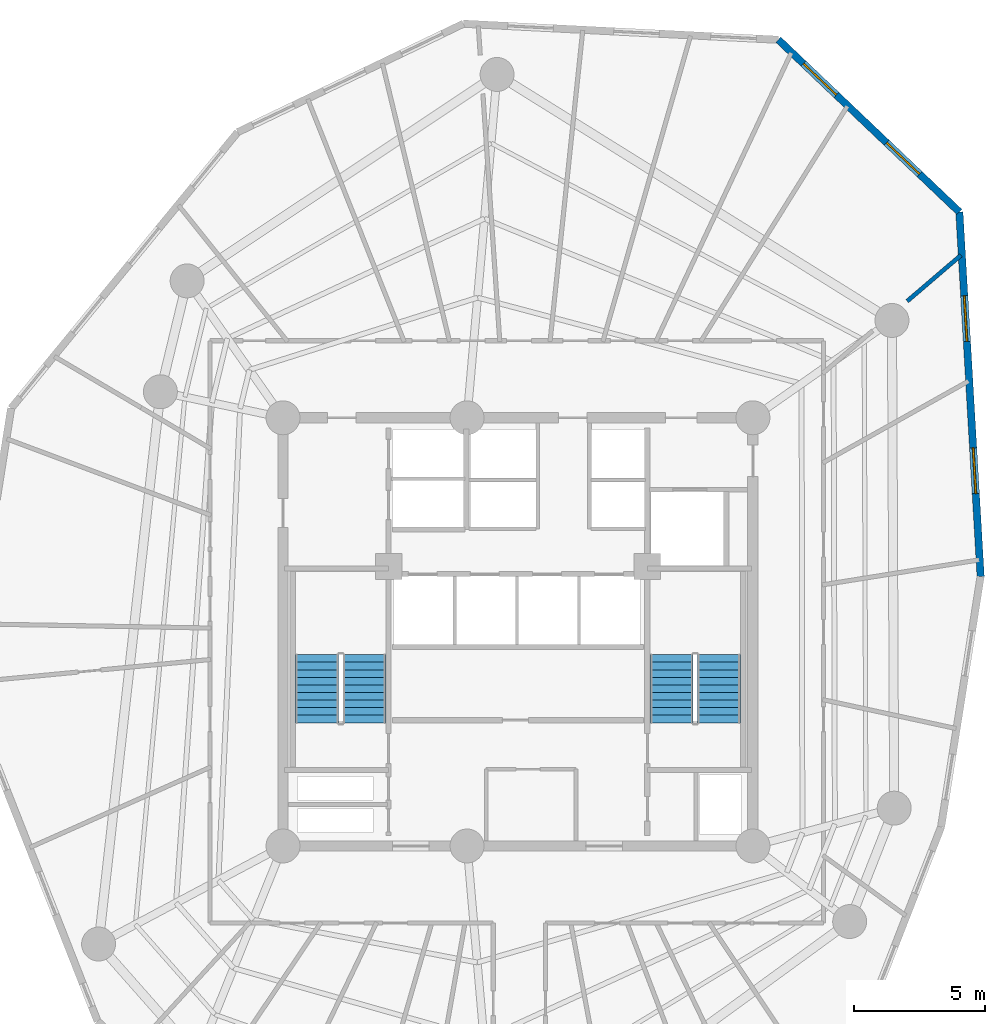
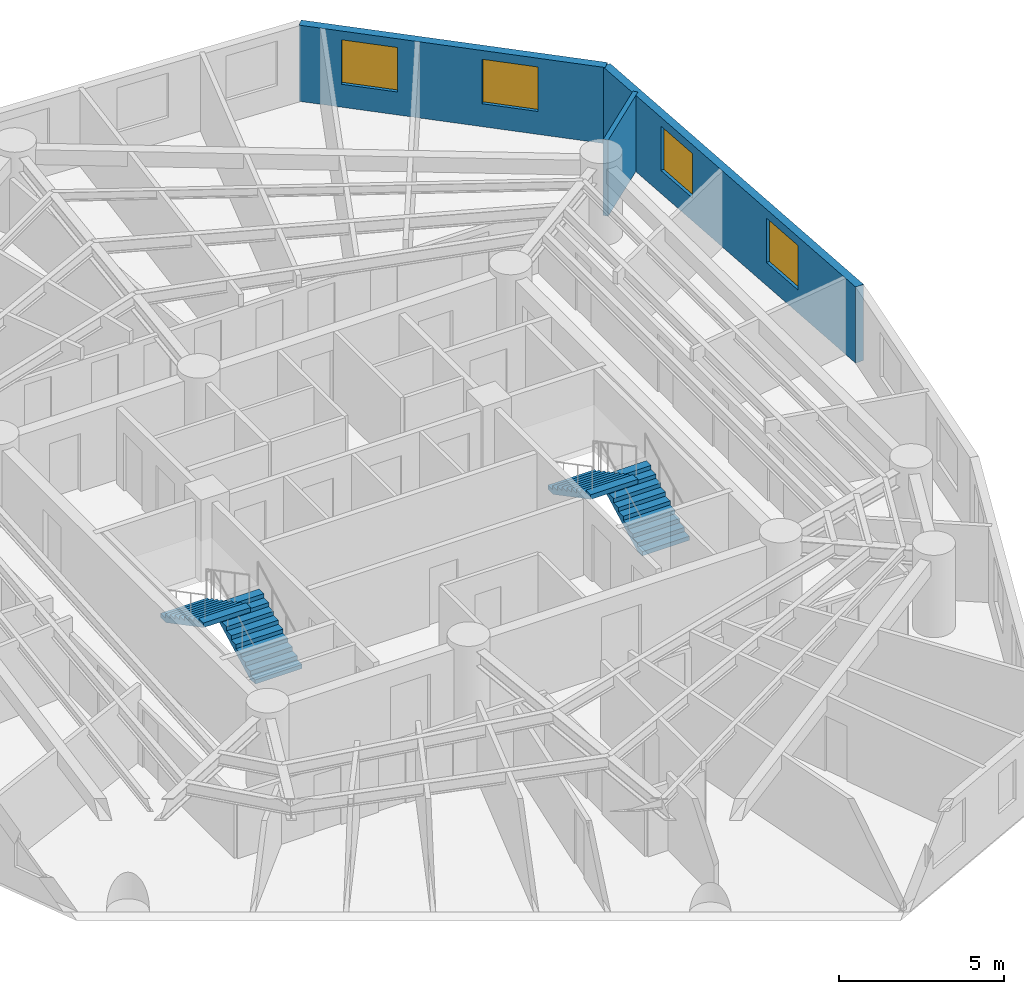
# One storey, part 7 of 8: 4 stair flights, 4 windows, 3 walls, 4 openings, 2 elements without a shape of their own.
"""IFC4 building model written with IfcOpenShell, lengths in metres."""

from ifc_helpers import new_model, si_unit, direction, frame, frame_2d, origin, origin_with_axes, place, context, subcontext, project, spatial, polyline, rectangle, outline, extrude, source, transform, mapped, material, layer, layer_set, type_object, element, fill, aggregate, save


model = new_model("IFC4")

# Units and contexts
model_context = context("Model", 3, precision=1e-05, world=origin(), true_north=direction((0.0, 1.0)))
body_context = subcontext(model_context, "Body", "Model", "MODEL_VIEW")
ifc_project = project(units=[si_unit("LENGTHUNIT", "METRE"), si_unit("AREAUNIT", "SQUARE_METRE"), si_unit("VOLUMEUNIT", "CUBIC_METRE"), si_unit("PLANEANGLEUNIT", "RADIAN"), si_unit("MASSUNIT", "GRAM", prefix="KILO")], contexts=[model_context])

# Site, building, storey
site_placement = place(None, origin())
site = spatial("IfcSite", under=ifc_project, at=site_placement, CompositionType="ELEMENT")
building_placement = place(site_placement, origin())
building = spatial("IfcBuilding", under=site, at=building_placement, Name="Karkom Vertical University and Central Library", CompositionType="ELEMENT")
storey_placement = place(building_placement, frame((0.0, 0.0, 165.699951171875)))
storey = spatial("IfcBuildingStorey", under=building, at=storey_placement, Name="L47", CompositionType="ELEMENT", Elevation=165.699951171875)

# Wall, openings, windows
ifc_material_1 = material(Name="Brick-faced precast concrete C45/55", Category="masonry")
ifc_layer_1 = layer(ifc_material_1, 0.280029296875)
ifc_layer_set_1 = layer_set([ifc_layer_1], Name="Brick-faced precast concrete C45/55")
wall_type_1 = type_object("IfcWallType", Name="ENV-WL-BRK-280", PredefinedType="SOLIDWALL", material=ifc_layer_set_1)
wall_1_placement = place(storey_placement, frame((46.22216796875, 28.6201171875, 0.0), z_axis=(0.0, 0.0, 1.0), x_axis=(-0.058346530158, 0.998296390066, 0.0)))
wall_1 = element("IfcWall", 1, at=wall_1_placement, inside=storey, type_object=wall_type_1, Name="Level 47 Brick-Faced Precast Facade Wall 08", PredefinedType="SOLIDWALL", context=body_context, shape_type="SweptSolid", body=[
    extrude(rectangle(XDim=13.98828125, YDim=0.280029296875, at=frame_2d((6.994140625, 0.0))), origin(), (0.0, 0.0, 1.0), 2.824951171875),
])
opening_1_placement = place(wall_1_placement, frame((3.184814453125, 0.0, 0.85009765625)))
opening_1 = element("IfcOpeningElement", 2, at=opening_1_placement, cuts=wall_1, Name="Opening WN-08", PredefinedType="OPENING", context=body_context, shape_type="SweptSolid", body=[
    extrude(rectangle(XDim=1.75, YDim=1.64990234375, at=frame_2d((0.875, 0.824951171875))), frame((0.0, 0.14990234375, 0.0), z_axis=(0.0, -1.0, 0.0), x_axis=(1.0, 0.0, 0.0)), (0.0, 0.0, 1.0), 0.300048828125),
])
opening_2_placement = place(wall_1_placement, frame((9.0205078125, 0.0, 0.85009765625)))
opening_2 = element("IfcOpeningElement", 3, at=opening_2_placement, cuts=wall_1, Name="Opening WN-08", PredefinedType="OPENING", context=body_context, shape_type="SweptSolid", body=[
    extrude(rectangle(XDim=1.75, YDim=1.64990234375, at=frame_2d((0.875, 0.824951171875))), frame((0.0, 0.14990234375, 0.0), z_axis=(0.0, -1.0, 0.0), x_axis=(1.0, 0.0, 0.0)), (0.0, 0.0, 1.0), 0.300048828125),
])
ifc_material_2 = material(Name="Aluminium thermal-break frame with solar-control IGU", Category="aluminium")
window_type = type_object("IfcWindowType", Name="ENV-WIN-WN-08", PartitioningType="SINGLE_PANEL", PredefinedType="WINDOW", material=ifc_material_2)
shared_shape = source(origin_with_axes(), body_context, "Body", "SweptSolid", [
    extrude(rectangle(XDim=1.75, YDim=1.64990234375, at=frame_2d((0.875, 0.824951171875))), frame((0.0, 0.030029296875, 0.0), z_axis=(0.0, -1.0, 0.0), x_axis=(1.0, 0.0, 0.0)), (0.0, 0.0, 1.0), 0.06005859375),
])
window_1_placement = place(opening_1_placement, origin())
window_1 = element("IfcWindow", 4, at=window_1_placement, inside=storey, type_object=window_type, Name="Level 47 Punched Window 8.1", OverallHeight=1.64990234375, OverallWidth=1.75, PartitioningType="SINGLE_PANEL", PredefinedType="WINDOW", context=body_context, shape_type="MappedRepresentation", body=[
    mapped(shared_shape, transform((0.0, 0.0, 0.0), scale=1.0)),
])
fill(opening_1, window_1)
window_2_placement = place(opening_2_placement, origin())
window_2 = element("IfcWindow", 5, at=window_2_placement, inside=storey, type_object=window_type, Name="Level 47 Punched Window 8.2", OverallHeight=1.64990234375, OverallWidth=1.75, PartitioningType="SINGLE_PANEL", PredefinedType="WINDOW", context=body_context, shape_type="MappedRepresentation", body=[
    mapped(shared_shape, transform((0.0, 0.0, 0.0), scale=1.0)),
])
fill(opening_2, window_2)

wall_2_placement = place(storey_placement, frame((45.406005859375, 42.58447265625, 0.0), z_axis=(0.0, 0.0, 1.0), x_axis=(-0.724451484648, 0.689325791184, 0.0)))
wall_2 = element("IfcWall", 6, at=wall_2_placement, inside=storey, type_object=wall_type_1, Name="Level 47 Brick-Faced Precast Facade Wall 09", PredefinedType="SOLIDWALL", context=body_context, shape_type="SweptSolid", body=[
    extrude(rectangle(XDim=9.57080078125, YDim=0.280029296875, at=frame_2d((4.785400390625, 0.0))), origin(), (0.0, 0.0, 1.0), 2.824951171875),
])
opening_3_placement = place(wall_2_placement, frame((2.100830078125, 0.0, 0.85009765625)))
opening_3 = element("IfcOpeningElement", 7, at=opening_3_placement, cuts=wall_2, Name="Opening WN-08", PredefinedType="OPENING", context=body_context, shape_type="SweptSolid", body=[
    extrude(rectangle(XDim=1.75, YDim=1.64990234375, at=frame_2d((0.875, 0.824951171875))), frame((0.0, 0.14990234375, 0.0), z_axis=(0.0, -1.0, 0.0), x_axis=(1.0, 0.0, 0.0)), (0.0, 0.0, 1.0), 0.300048828125),
])
opening_4_placement = place(wall_2_placement, frame((6.498291015625, 0.0, 0.85009765625)))
opening_4 = element("IfcOpeningElement", 8, at=opening_4_placement, cuts=wall_2, Name="Opening WN-08", PredefinedType="OPENING", context=body_context, shape_type="SweptSolid", body=[
    extrude(rectangle(XDim=1.75, YDim=1.64990234375, at=frame_2d((0.875, 0.824951171875))), frame((0.0, 0.14990234375, 0.0), z_axis=(0.0, -1.0, 0.0), x_axis=(1.0, 0.0, 0.0)), (0.0, 0.0, 1.0), 0.300048828125),
])
window_3_placement = place(opening_3_placement, origin())
window_3 = element("IfcWindow", 9, at=window_3_placement, inside=storey, type_object=window_type, Name="Level 47 Punched Window 9.1", OverallHeight=1.64990234375, OverallWidth=1.75, PartitioningType="SINGLE_PANEL", PredefinedType="WINDOW", context=body_context, shape_type="MappedRepresentation", body=[
    mapped(shared_shape, transform((0.0, 0.0, 0.0), scale=1.0)),
])
fill(opening_3, window_3)
window_4_placement = place(opening_4_placement, origin())
window_4 = element("IfcWindow", 10, at=window_4_placement, inside=storey, type_object=window_type, Name="Level 47 Punched Window 9.2", OverallHeight=1.64990234375, OverallWidth=1.75, PartitioningType="SINGLE_PANEL", PredefinedType="WINDOW", context=body_context, shape_type="MappedRepresentation", body=[
    mapped(shared_shape, transform((0.0, 0.0, 0.0), scale=1.0)),
])
fill(opening_4, window_4)

# Wall
ifc_material_3 = material(Name="Insulated metal-stud drywall 160mm", Category="gypsum")
ifc_layer_2 = layer(ifc_material_3, 0.159912109375)
ifc_layer_set_2 = layer_set([ifc_layer_2], Name="Insulated metal-stud drywall 160mm")
wall_type_2 = type_object("IfcWallType", Name="INT-WL-COR-160", PredefinedType="PARTITIONING", material=ifc_layer_set_2)
wall_3_placement = place(storey_placement, frame((43.408447265625, 39.16796875, 0.0), z_axis=(0.0, 0.0, 1.0), x_axis=(0.760052322785, 0.649861882733, 0.0)))
element("IfcWall", 11, at=wall_3_placement, inside=storey, type_object=wall_type_2, Name="Level 47 Interior Partition Wall L47-PW-020", PredefinedType="PARTITIONING", context=body_context, shape_type="SweptSolid", body=[
    extrude(rectangle(XDim=2.705322265625, YDim=0.159912109375, at=frame_2d((1.3525390625, 0.0))), origin(), (0.0, 0.0, 1.0), 2.824951171875),
])

# Stair, stair flights
ifc_material_4 = material(Name="Concrete C45/55", Category="concrete")
stair_type = type_object("IfcStairType", Name="INT-STR-ST-MAIN", PredefinedType="HALF_TURN_STAIR", material=ifc_material_4)
stair_1_placement = place(storey_placement, origin())
stair_1 = element("IfcStair", 12, at=stair_1_placement, inside=storey, type_object=stair_type, Name="Level 47 Tower Protected Exit Stair ST-1", PredefinedType="HALF_TURN_STAIR")
stair_flight_type = type_object("IfcStairFlightType", Name="INT-SFL-ST-MAIN", PredefinedType="STRAIGHT", material=ifc_material_4)
stair_flight_1_placement = place(storey_placement, frame((22.614990234375, 23.02001953125, 0.0), z_axis=(0.0, 0.0, 1.0), x_axis=(0.0, 1.0, 0.0)))
stair_flight_1 = element("IfcStairFlight", 13, at=stair_flight_1_placement, type_object=stair_flight_type, Name="ST-1 flight 1", NumberOfRisers=10, NumberOfTreads=9, PredefinedType="STRAIGHT", RiserHeight=0.1525, TreadLength=0.29, context=body_context, shape_type="SweptSolid", body=[
    extrude(outline(polyline([(0.0, 0.0), (0.0, 0.152587890625), (0.2900390625, 0.152587890625), (0.2900390625, 0.304931640625), (0.580078125, 0.304931640625), (0.580078125, 0.45751953125), (0.8701171875, 0.45751953125), (0.8701171875, 0.610107421875), (1.159912109375, 0.610107421875), (1.159912109375, 0.762451171875), (1.449951171875, 0.762451171875), (1.449951171875, 0.9150390625), (1.739990234375, 0.9150390625), (1.739990234375, 1.0673828125), (2.030029296875, 1.0673828125), (2.030029296875, 1.219970703125), (2.320068359375, 1.219970703125), (2.320068359375, 1.37255859375), (2.610107421875, 1.37255859375), (2.610107421875, 1.52490234375), (2.610107421875, 1.203125), (0.322021484375, 0.0), (0.0, 0.0)])), frame((0.0, 0.824951171875, 0.0), z_axis=(0.0, -1.0, 0.0), x_axis=(1.0, 0.0, 0.0)), (0.0, 0.0, 1.0), 1.64990234375),
])
stair_flight_2_placement = place(storey_placement, frame((20.804931640625, 25.6298828125, 1.525146484375), z_axis=(0.0, 0.0, 1.0), x_axis=(0.0, -1.0, 0.0)))
stair_flight_2 = element("IfcStairFlight", 14, at=stair_flight_2_placement, type_object=stair_flight_type, Name="ST-1 flight 2", NumberOfRisers=10, NumberOfTreads=9, PredefinedType="STRAIGHT", RiserHeight=0.1525, TreadLength=0.29, context=body_context, shape_type="SweptSolid", body=[
    extrude(outline(polyline([(0.0, 0.0), (0.0, 0.152587890625), (0.2900390625, 0.152587890625), (0.2900390625, 0.304931640625), (0.580078125, 0.304931640625), (0.580078125, 0.45751953125), (0.8701171875, 0.45751953125), (0.8701171875, 0.610107421875), (1.159912109375, 0.610107421875), (1.159912109375, 0.762451171875), (1.449951171875, 0.762451171875), (1.449951171875, 0.9150390625), (1.739990234375, 0.9150390625), (1.739990234375, 1.0673828125), (2.030029296875, 1.0673828125), (2.030029296875, 1.219970703125), (2.320068359375, 1.219970703125), (2.320068359375, 1.37255859375), (2.610107421875, 1.37255859375), (2.610107421875, 1.52490234375), (2.610107421875, 1.203125), (0.322021484375, 0.0), (0.0, 0.0)])), frame((0.0, 0.824951171875, 0.0), z_axis=(0.0, -1.0, 0.0), x_axis=(1.0, 0.0, 0.0)), (0.0, 0.0, 1.0), 1.64990234375),
])
aggregate(stair_1, [stair_flight_1, stair_flight_2])

stair_2_placement = place(storey_placement, origin())
stair_2 = element("IfcStair", 15, at=stair_2_placement, inside=storey, type_object=stair_type, Name="Level 47 Tower Protected Exit Stair ST-2", PredefinedType="HALF_TURN_STAIR")
stair_flight_3_placement = place(storey_placement, frame((36.195068359375, 23.02001953125, 0.0), z_axis=(0.0, 0.0, 1.0), x_axis=(0.0, 1.0, 0.0)))
stair_flight_3 = element("IfcStairFlight", 16, at=stair_flight_3_placement, type_object=stair_flight_type, Name="ST-2 flight 1", NumberOfRisers=10, NumberOfTreads=9, PredefinedType="STRAIGHT", RiserHeight=0.1525, TreadLength=0.29, context=body_context, shape_type="SweptSolid", body=[
    extrude(outline(polyline([(0.0, 0.0), (0.0, 0.152587890625), (0.2900390625, 0.152587890625), (0.2900390625, 0.304931640625), (0.580078125, 0.304931640625), (0.580078125, 0.45751953125), (0.8701171875, 0.45751953125), (0.8701171875, 0.610107421875), (1.159912109375, 0.610107421875), (1.159912109375, 0.762451171875), (1.449951171875, 0.762451171875), (1.449951171875, 0.9150390625), (1.739990234375, 0.9150390625), (1.739990234375, 1.0673828125), (2.030029296875, 1.0673828125), (2.030029296875, 1.219970703125), (2.320068359375, 1.219970703125), (2.320068359375, 1.37255859375), (2.610107421875, 1.37255859375), (2.610107421875, 1.52490234375), (2.610107421875, 1.203125), (0.322021484375, 0.0), (0.0, 0.0)])), frame((0.0, 0.824951171875, 0.0), z_axis=(0.0, -1.0, 0.0), x_axis=(1.0, 0.0, 0.0)), (0.0, 0.0, 1.0), 1.64990234375),
])
stair_flight_4_placement = place(storey_placement, frame((34.385009765625, 25.6298828125, 1.525146484375), z_axis=(0.0, 0.0, 1.0), x_axis=(0.0, -1.0, 0.0)))
stair_flight_4 = element("IfcStairFlight", 17, at=stair_flight_4_placement, type_object=stair_flight_type, Name="ST-2 flight 2", NumberOfRisers=10, NumberOfTreads=9, PredefinedType="STRAIGHT", RiserHeight=0.1525, TreadLength=0.29, context=body_context, shape_type="SweptSolid", body=[
    extrude(outline(polyline([(0.0, 0.0), (0.0, 0.152587890625), (0.2900390625, 0.152587890625), (0.2900390625, 0.304931640625), (0.580078125, 0.304931640625), (0.580078125, 0.45751953125), (0.8701171875, 0.45751953125), (0.8701171875, 0.610107421875), (1.159912109375, 0.610107421875), (1.159912109375, 0.762451171875), (1.449951171875, 0.762451171875), (1.449951171875, 0.9150390625), (1.739990234375, 0.9150390625), (1.739990234375, 1.0673828125), (2.030029296875, 1.0673828125), (2.030029296875, 1.219970703125), (2.320068359375, 1.219970703125), (2.320068359375, 1.37255859375), (2.610107421875, 1.37255859375), (2.610107421875, 1.52490234375), (2.610107421875, 1.203125), (0.322021484375, 0.0), (0.0, 0.0)])), frame((0.0, 0.824951171875, 0.0), z_axis=(0.0, -1.0, 0.0), x_axis=(1.0, 0.0, 0.0)), (0.0, 0.0, 1.0), 1.64990234375),
])
aggregate(stair_2, [stair_flight_3, stair_flight_4])

save(model, "model.ifc")
